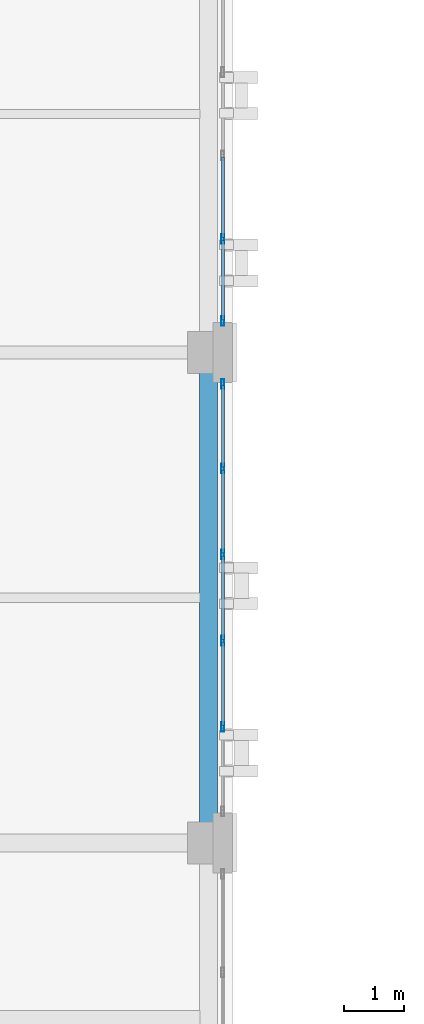
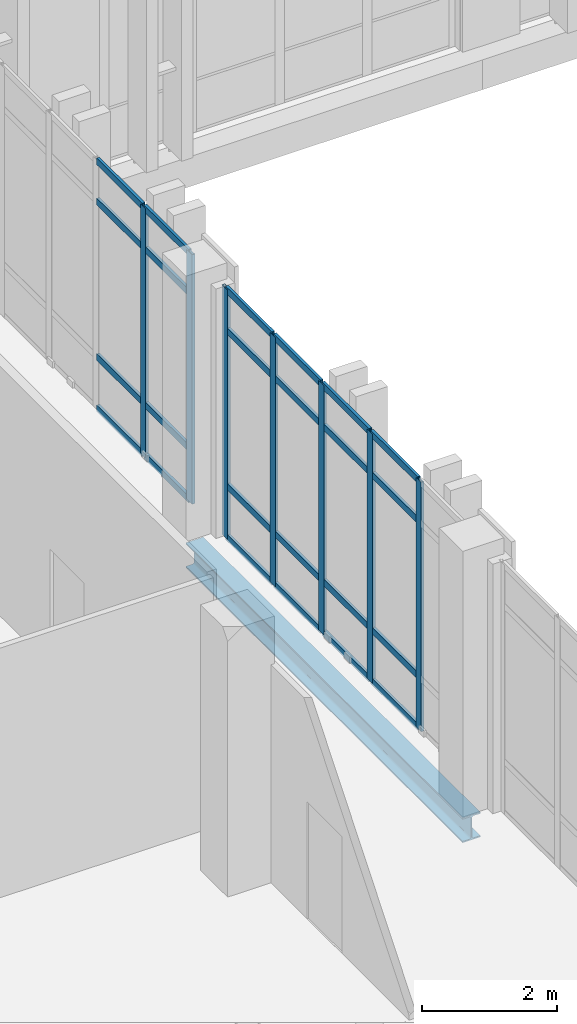
# One storey, part 80 of 189: 31 members, 1 beam, 2 elements without a shape of their own.
"""IFC4 building model written with IfcOpenShell, lengths in metres."""

import ifcopenshell
import ifcopenshell.guid

model = None  # the IFC model being written
_history = None  # IfcOwnerHistory: only IFC2X3 demands one
_inside = {}  # id of a spatial element -> (the spatial element, [elements in it])
_under = {}  # id of a project, library or spatial element -> (it, [spatial elements below it])
_declared = {}  # id of a project -> (the project, [libraries it declares])
_typed = {}  # id of a type object -> (the type object, [elements of that type])
_made_of = {}  # id of a material, layer set ... -> (it, [elements and type objects made of it])


def new_model(schema):
    """Start an empty IFC model of exactly this schema.

    Asked for "IFC4X3", IfcOpenShell would pick the latest addendum, in which some entities
    have other attributes; the version numbers below select the first issue.
    IFC2X3 requires an IfcOwnerHistory on every rooted entity: one is made here for all.
    """
    global model, _history
    if schema == "IFC4X3":
        model = ifcopenshell.file(schema_version=(4, 3, 0, 0))
    else:
        model = ifcopenshell.file(schema=schema)
    _inside.clear()
    _under.clear()
    _declared.clear()
    _typed.clear()
    _made_of.clear()
    _history = None
    if model.schema == "IFC2X3":
        org = make("IfcOrganization", Name="unknown")
        user = make(
            "IfcPersonAndOrganization",
            ThePerson=make("IfcPerson", FamilyName="unknown"),
            TheOrganization=org,
        )
        app = make(
            "IfcApplication",
            ApplicationDeveloper=org,
            Version="unknown",
            ApplicationFullName="unknown",
            ApplicationIdentifier="unknown",
        )
        _history = make(
            "IfcOwnerHistory",
            OwningUser=user,
            OwningApplication=app,
            ChangeAction="ADDED",
            CreationDate=0,
        )
    return model


def make(cls, **values):
    """One entity of the class cls with the attributes given. An attribute that is None is left unset."""
    return model.create_entity(
        cls, **{name: value for name, value in values.items() if value is not None}
    )


def rooted(cls, **values):
    """An entity with a GlobalId (a new one), such as an element, a storey or a relation."""
    return make(cls, GlobalId=ifcopenshell.guid.new(), OwnerHistory=_history, **values)


def si_unit(unit_type, name, prefix=None):
    """IfcSIUnit, for example si_unit("LENGTHUNIT", "METRE", prefix="MILLI")."""
    return make("IfcSIUnit", UnitType=unit_type, Prefix=prefix, Name=name)


def assignment(units):
    """IfcUnitAssignment: the units of a project."""
    return None if units is None else make("IfcUnitAssignment", Units=units)


def point(xyz):
    """IfcCartesianPoint."""
    return None if xyz is None else make("IfcCartesianPoint", Coordinates=xyz)


def direction(xyz):
    """IfcDirection."""
    return None if xyz is None else make("IfcDirection", DirectionRatios=xyz)


def frame(location, z_axis=None, x_axis=None):
    """IfcAxis2Placement3D, a coordinate frame: its origin and axes. An axis left out is left unset."""
    return make(
        "IfcAxis2Placement3D",
        Location=point(location),
        Axis=direction(z_axis),
        RefDirection=direction(x_axis),
    )


def frame_2d(location, x_axis=None):
    """IfcAxis2Placement2D, a coordinate frame in the plane: its origin and x axis."""
    return make(
        "IfcAxis2Placement2D", Location=point(location), RefDirection=direction(x_axis)
    )


def origin():
    """The frame at (0, 0, 0) with its axes left unset."""
    return frame((0.0, 0.0, 0.0))


def origin_2d():
    """The frame at (0, 0) in the plane with its x axis left unset."""
    return frame_2d((0.0, 0.0))


def place(relative_to, where):
    """IfcLocalPlacement: puts the frame where relative to a parent placement (None: the world)."""
    return make(
        "IfcLocalPlacement", PlacementRelTo=relative_to, RelativePlacement=where
    )


def context(
    kind, dimensions, precision=None, world=None, true_north=None, identifier=None
):
    """IfcGeometricRepresentationContext, for example the 3D "Model" context."""
    return make(
        "IfcGeometricRepresentationContext",
        ContextIdentifier=identifier,
        ContextType=kind,
        CoordinateSpaceDimension=dimensions,
        Precision=precision,
        WorldCoordinateSystem=world,
        TrueNorth=true_north,
    )


def subcontext(parent, identifier, kind, view, scale=None):
    """IfcGeometricRepresentationSubContext, for example "Body" below "Model"."""
    return make(
        "IfcGeometricRepresentationSubContext",
        ContextIdentifier=identifier,
        ContextType=kind,
        ParentContext=parent,
        TargetScale=scale,
        TargetView=view,
    )


def project(units=None, contexts=None):
    """IfcProject with its units and contexts."""
    return rooted(
        "IfcProject",
        Name="project",
        RepresentationContexts=contexts,
        UnitsInContext=assignment(units),
    )


def spatial(cls, under=None, at=None, **own):
    """A site, building, storey or space (cls), placed at a placement, below another one or the project."""
    s = rooted(cls, ObjectPlacement=at, **own)
    if under is not None:
        _under.setdefault(under.id(), (under, []))[1].append(s)
    return s


def profile(cls, at=None, kind="AREA", **sizes):
    """A parametric profile (cls). Its sizes go by their IFC names, for example OverallWidth=200.0."""
    return make(cls, ProfileType=kind, Position=at, **sizes)


def hollow_rectangle(**sizes):
    """IfcRectangleHollowProfileDef."""
    return profile("IfcRectangleHollowProfileDef", **sizes)


def i_section(**sizes):
    """IfcIShapeProfileDef."""
    return profile("IfcIShapeProfileDef", **sizes)


def extrude(swept, where, along, depth):
    """IfcExtrudedAreaSolid: the profile swept, set in the frame where, extruded along a direction by depth."""
    return make(
        "IfcExtrudedAreaSolid",
        SweptArea=swept,
        Position=where,
        ExtrudedDirection=direction(along),
        Depth=depth,
    )


def shape(context_of_items, identifier, shape_type, items):
    """IfcShapeRepresentation: the items that make up one representation, for example the "Body"."""
    return make(
        "IfcShapeRepresentation",
        ContextOfItems=context_of_items,
        RepresentationIdentifier=identifier,
        RepresentationType=shape_type,
        Items=items,
    )


def material(Name=None, Category=None):
    """IfcMaterial."""
    return make("IfcMaterial", Name=Name, Category=Category)


def layer(
    of_material, thickness, ventilated=None, Name=None, Category=None, Priority=None
):
    """IfcMaterialLayer: one layer of a wall or slab, of a material (None: an air gap)."""
    return make(
        "IfcMaterialLayer",
        Material=of_material,
        LayerThickness=thickness,
        IsVentilated=ventilated,
        Name=Name,
        Category=Category,
        Priority=Priority,
    )


def layer_set(layers, Name=None):
    """IfcMaterialLayerSet."""
    return make("IfcMaterialLayerSet", MaterialLayers=layers, LayerSetName=Name)


def material_profile(
    of_material, cross_section, Name=None, Category=None, Priority=None
):
    """IfcMaterialProfile: a cross section and its material."""
    return make(
        "IfcMaterialProfile",
        Name=Name,
        Material=of_material,
        Profile=cross_section,
        Priority=Priority,
        Category=Category,
    )


def profile_set(profiles, Name=None, composite=None):
    """IfcMaterialProfileSet."""
    return make(
        "IfcMaterialProfileSet",
        Name=Name,
        MaterialProfiles=profiles,
        CompositeProfile=composite,
    )


def made_of(thing, what):
    """Note that an element or type object is made of a material, layer set ...; save() writes the relation."""
    if what is not None:
        _made_of.setdefault(what.id(), (what, []))[1].append(thing)
    return thing


def type_object(cls, material=None, **own):
    """A type object (cls), such as IfcWallType, which elements share."""
    return made_of(rooted(cls, **own), material)


def element(
    cls,
    number,
    at=None,
    inside=None,
    cuts=None,
    type_object=None,
    material=None,
    context=None,
    identifier="Body",
    shape_type=None,
    held_by="IfcProductDefinitionShape",
    body=None,
    shapes=None,
    **own,
):
    """One element of the class cls, such as IfcWall. Its Tag is "e" and its number.

    at: its placement. inside: the storey or other place that contains it. cuts: it is an
    opening in that element (IfcRelVoidsElement). A single representation is given by context,
    identifier, shape_type and body (its items); several are given by shapes. held_by: the class
    of the entity that holds the representations. save() writes the other relations.
    """
    e = rooted(cls, Tag="e%d" % number, ObjectPlacement=at, **own)
    if body is not None:
        shapes = [shape(context, identifier, shape_type, body)]
    if shapes is not None:
        e.Representation = make(held_by, Representations=shapes)
    if inside is not None:
        _inside.setdefault(inside.id(), (inside, []))[1].append(e)
    if cuts is not None:
        rooted(
            "IfcRelVoidsElement", RelatingBuildingElement=cuts, RelatedOpeningElement=e
        )
    if type_object is not None:
        _typed.setdefault(type_object.id(), (type_object, []))[1].append(e)
    return made_of(e, material)


def aggregate(whole, parts):
    """IfcRelAggregates: a whole, such as a stair, and the parts it consists of."""
    return rooted("IfcRelAggregates", RelatingObject=whole, RelatedObjects=parts)


def save(model, path):
    """Write the relations noted so far, then the file.

    IfcRelAggregates (storeys below a building ...), IfcRelContainedInSpatialStructure (elements
    in a storey), IfcRelDefinesByType, IfcRelAssociatesMaterial and IfcRelDeclares: one each for
    every whole, place, type object, material and project.
    """
    for whole, parts in _under.values():
        aggregate(whole, parts)
    for where, things in _inside.values():
        rooted(
            "IfcRelContainedInSpatialStructure",
            RelatedElements=things,
            RelatingStructure=where,
        )
    for kind, things in _typed.values():
        rooted("IfcRelDefinesByType", RelatedObjects=things, RelatingType=kind)
    for what, things in _made_of.values():
        rooted("IfcRelAssociatesMaterial", RelatedObjects=things, RelatingMaterial=what)
    for by, libraries in _declared.values():
        rooted("IfcRelDeclares", RelatingContext=by, RelatedDefinitions=libraries)
    model.write(path)


model = new_model("IFC4")

# Units and contexts
model_context = context("Model", 3, precision=1e-05, world=origin(), true_north=direction((0.0, 1.0)))
body_context = subcontext(model_context, "Body", "Model", "MODEL_VIEW")
ifc_project = project(units=[si_unit("LENGTHUNIT", "METRE"), si_unit("AREAUNIT", "SQUARE_METRE"), si_unit("VOLUMEUNIT", "CUBIC_METRE"), si_unit("PLANEANGLEUNIT", "RADIAN"), si_unit("MASSUNIT", "GRAM", prefix="KILO")], contexts=[model_context])

# Site, building, storey
site_placement = place(None, origin())
site = spatial("IfcSite", under=ifc_project, at=site_placement, CompositionType="ELEMENT")
building_placement = place(site_placement, origin())
building = spatial("IfcBuilding", under=site, at=building_placement, Name="Qalavern Law Courts", CompositionType="ELEMENT")
storey_placement = place(building_placement, frame((0.0, 0.0, 5.39990234375)))
storey = spatial("IfcBuildingStorey", under=building, at=storey_placement, Name="L01", CompositionType="ELEMENT", Elevation=5.39990234375)

# Curtain wall, members
ifc_material_1 = material(Name="Anodised aluminium and insulated glazing", Category="aluminium")
ifc_layer = layer(ifc_material_1, 0.172119140625)
ifc_layer_set = layer_set([ifc_layer], Name="Anodised aluminium and insulated glazing")
curtain_wall_type = type_object("IfcCurtainWallType", Name="ENV-CW-COURT", PredefinedType="USERDEFINED", material=ifc_layer_set)
curtain_wall_1_placement = place(storey_placement, origin())
curtain_wall_1 = element("IfcCurtainWall", 1, at=curtain_wall_1_placement, inside=storey, type_object=curtain_wall_type, Name="V3 unitised curtain wall L01 east 6", ObjectType="UNITISED CURTAIN WALL", PredefinedType="USERDEFINED")
ifc_material_2 = material(Name="Anodised aluminium", Category="aluminium")
ifc_material_profile_1 = material_profile(ifc_material_2, hollow_rectangle(XDim=0.048095703125, YDim=0.159912109375, WallThickness=0.00390625, at=origin_2d()), Name="ALU MULLION 48x160")
ifc_profile_set_1 = profile_set([ifc_material_profile_1], Name="Anodised aluminium")
member_type_1 = type_object("IfcMemberType", Name="ENV-CWM-48x160", PredefinedType="MULLION", material=ifc_profile_set_1)
member_1_placement = place(storey_placement, frame((18.637451171875, 81.340087890625, 0.0), z_axis=(0.0, 0.0, 1.0), x_axis=(-1.0, 0.0, 0.0)))
member_1 = element("IfcMember", 2, at=member_1_placement, type_object=member_type_1, Name="CW-03 mullion 2", PredefinedType="MULLION", context=body_context, shape_type="SweptSolid", body=[
    extrude(hollow_rectangle(XDim=0.048095703125, YDim=0.159912109375, WallThickness=0.00390625, at=origin_2d()), origin(), (0.0, 0.0, 1.0), 4.510009765625),
])
member_2_placement = place(storey_placement, frame((18.637451171875, 82.780029296875, 0.0), z_axis=(0.0, 0.0, 1.0), x_axis=(-1.0, 0.0, 0.0)))
member_2 = element("IfcMember", 3, at=member_2_placement, type_object=member_type_1, Name="CW-03 mullion 3", PredefinedType="MULLION", context=body_context, shape_type="SweptSolid", body=[
    extrude(hollow_rectangle(XDim=0.048095703125, YDim=0.159912109375, WallThickness=0.00390625, at=origin_2d()), origin(), (0.0, 0.0, 1.0), 4.510009765625),
])
member_3_placement = place(storey_placement, frame((18.637451171875, 84.219970703125, 0.0), z_axis=(0.0, 0.0, 1.0), x_axis=(-1.0, 0.0, 0.0)))
member_3 = element("IfcMember", 4, at=member_3_placement, type_object=member_type_1, Name="CW-03 mullion 4", PredefinedType="MULLION", context=body_context, shape_type="SweptSolid", body=[
    extrude(hollow_rectangle(XDim=0.048095703125, YDim=0.159912109375, WallThickness=0.00390625, at=origin_2d()), origin(), (0.0, 0.0, 1.0), 4.510009765625),
])
member_4_placement = place(storey_placement, frame((18.637451171875, 85.659912109375, 0.0), z_axis=(0.0, 0.0, 1.0), x_axis=(-1.0, 0.0, 0.0)))
member_4 = element("IfcMember", 5, at=member_4_placement, type_object=member_type_1, Name="CW-03 mullion 5", PredefinedType="MULLION", context=body_context, shape_type="SweptSolid", body=[
    extrude(hollow_rectangle(XDim=0.048095703125, YDim=0.159912109375, WallThickness=0.00390625, at=origin_2d()), origin(), (0.0, 0.0, 1.0), 4.510009765625),
])
member_5_placement = place(storey_placement, frame((18.637451171875, 87.075927734375, 0.0), z_axis=(0.0, 0.0, 1.0), x_axis=(-1.0, 0.0, 0.0)))
member_5 = element("IfcMember", 6, at=member_5_placement, type_object=member_type_1, Name="CW-03 mullion 6", PredefinedType="MULLION", context=body_context, shape_type="SweptSolid", body=[
    extrude(hollow_rectangle(XDim=0.048095703125, YDim=0.159912109375, WallThickness=0.00390625, at=origin_2d()), origin(), (0.0, 0.0, 1.0), 4.510009765625),
])

curtain_wall_2_placement = place(storey_placement, origin())
curtain_wall_2 = element("IfcCurtainWall", 7, at=curtain_wall_2_placement, inside=storey, type_object=curtain_wall_type, Name="V3 unitised curtain wall L01 east 7", ObjectType="UNITISED CURTAIN WALL", PredefinedType="USERDEFINED")
member_6_placement = place(storey_placement, frame((18.637451171875, 88.1240234375, 0.0), z_axis=(0.0, 0.0, 1.0), x_axis=(-1.0, 0.0, 0.0)))
member_6 = element("IfcMember", 8, at=member_6_placement, type_object=member_type_1, Name="CW-03 mullion 1", PredefinedType="MULLION", context=body_context, shape_type="SweptSolid", body=[
    extrude(hollow_rectangle(XDim=0.048095703125, YDim=0.159912109375, WallThickness=0.00390625, at=origin_2d()), origin(), (0.0, 0.0, 1.0), 4.510009765625),
])
member_7_placement = place(storey_placement, frame((18.637451171875, 89.49609375, 0.0), z_axis=(0.0, 0.0, 1.0), x_axis=(-1.0, 0.0, 0.0)))
member_7 = element("IfcMember", 9, at=member_7_placement, type_object=member_type_1, Name="CW-03 mullion 2", PredefinedType="MULLION", context=body_context, shape_type="SweptSolid", body=[
    extrude(hollow_rectangle(XDim=0.048095703125, YDim=0.159912109375, WallThickness=0.00390625, at=origin_2d()), origin(), (0.0, 0.0, 1.0), 4.510009765625),
])

# Member
ifc_material_profile_2 = material_profile(ifc_material_2, hollow_rectangle(XDim=0.048095703125, YDim=0.1201171875, WallThickness=0.00390625, at=origin_2d()), Name="ALU TRANSOM 48x120")
ifc_profile_set_2 = profile_set([ifc_material_profile_2], Name="Anodised aluminium")
member_type_2 = type_object("IfcMemberType", Name="ENV-CWT-48x120", PredefinedType="USERDEFINED", material=ifc_profile_set_2)
member_8_placement = place(storey_placement, frame((18.637451171875, 81.364013671875, 0.024169921875), z_axis=(0.0, 1.0, 0.0), x_axis=(-1.0, 0.0, 0.0)))
member_8 = element("IfcMember", 10, at=member_8_placement, type_object=member_type_2, Name="CW-03 transom 2.1", ObjectType="TRANSOM", PredefinedType="USERDEFINED", context=body_context, shape_type="SweptSolid", body=[
    extrude(hollow_rectangle(XDim=0.048095703125, YDim=0.1201171875, WallThickness=0.00390625, at=origin_2d()), origin(), (0.0, 0.0, 1.0), 1.39208984375),
])

member_9_placement = place(storey_placement, frame((18.637451171875, 81.364013671875, 0.9501953125), z_axis=(0.0, 1.0, 0.0), x_axis=(-1.0, 0.0, 0.0)))
member_9 = element("IfcMember", 11, at=member_9_placement, type_object=member_type_2, Name="CW-03 transom 2.2", ObjectType="TRANSOM", PredefinedType="USERDEFINED", context=body_context, shape_type="SweptSolid", body=[
    extrude(hollow_rectangle(XDim=0.048095703125, YDim=0.1201171875, WallThickness=0.00390625, at=origin_2d()), origin(), (0.0, 0.0, 1.0), 1.39208984375),
])

member_10_placement = place(storey_placement, frame((18.637451171875, 81.364013671875, 3.760009765625), z_axis=(0.0, 1.0, 0.0), x_axis=(-1.0, 0.0, 0.0)))
member_10 = element("IfcMember", 12, at=member_10_placement, type_object=member_type_2, Name="CW-03 transom 2.3", ObjectType="TRANSOM", PredefinedType="USERDEFINED", context=body_context, shape_type="SweptSolid", body=[
    extrude(hollow_rectangle(XDim=0.048095703125, YDim=0.1201171875, WallThickness=0.00390625, at=origin_2d()), origin(), (0.0, 0.0, 1.0), 1.39208984375),
])

member_11_placement = place(storey_placement, frame((18.637451171875, 81.364013671875, 4.486083984375), z_axis=(0.0, 1.0, 0.0), x_axis=(-1.0, 0.0, 0.0)))
member_11 = element("IfcMember", 13, at=member_11_placement, type_object=member_type_2, Name="CW-03 transom 2.4", ObjectType="TRANSOM", PredefinedType="USERDEFINED", context=body_context, shape_type="SweptSolid", body=[
    extrude(hollow_rectangle(XDim=0.048095703125, YDim=0.1201171875, WallThickness=0.00390625, at=origin_2d()), origin(), (0.0, 0.0, 1.0), 1.39208984375),
])

member_12_placement = place(storey_placement, frame((18.637451171875, 82.803955078125, 0.024169921875), z_axis=(0.0, 1.0, 0.0), x_axis=(-1.0, 0.0, 0.0)))
member_12 = element("IfcMember", 14, at=member_12_placement, type_object=member_type_2, Name="CW-03 transom 3.1", ObjectType="TRANSOM", PredefinedType="USERDEFINED", context=body_context, shape_type="SweptSolid", body=[
    extrude(hollow_rectangle(XDim=0.048095703125, YDim=0.1201171875, WallThickness=0.00390625, at=origin_2d()), origin(), (0.0, 0.0, 1.0), 1.39208984375),
])

member_13_placement = place(storey_placement, frame((18.637451171875, 82.803955078125, 0.9501953125), z_axis=(0.0, 1.0, 0.0), x_axis=(-1.0, 0.0, 0.0)))
member_13 = element("IfcMember", 15, at=member_13_placement, type_object=member_type_2, Name="CW-03 transom 3.2", ObjectType="TRANSOM", PredefinedType="USERDEFINED", context=body_context, shape_type="SweptSolid", body=[
    extrude(hollow_rectangle(XDim=0.048095703125, YDim=0.1201171875, WallThickness=0.00390625, at=origin_2d()), origin(), (0.0, 0.0, 1.0), 1.39208984375),
])

member_14_placement = place(storey_placement, frame((18.637451171875, 82.803955078125, 3.760009765625), z_axis=(0.0, 1.0, 0.0), x_axis=(-1.0, 0.0, 0.0)))
member_14 = element("IfcMember", 16, at=member_14_placement, type_object=member_type_2, Name="CW-03 transom 3.3", ObjectType="TRANSOM", PredefinedType="USERDEFINED", context=body_context, shape_type="SweptSolid", body=[
    extrude(hollow_rectangle(XDim=0.048095703125, YDim=0.1201171875, WallThickness=0.00390625, at=origin_2d()), origin(), (0.0, 0.0, 1.0), 1.39208984375),
])

member_15_placement = place(storey_placement, frame((18.637451171875, 82.803955078125, 4.486083984375), z_axis=(0.0, 1.0, 0.0), x_axis=(-1.0, 0.0, 0.0)))
member_15 = element("IfcMember", 17, at=member_15_placement, type_object=member_type_2, Name="CW-03 transom 3.4", ObjectType="TRANSOM", PredefinedType="USERDEFINED", context=body_context, shape_type="SweptSolid", body=[
    extrude(hollow_rectangle(XDim=0.048095703125, YDim=0.1201171875, WallThickness=0.00390625, at=origin_2d()), origin(), (0.0, 0.0, 1.0), 1.39208984375),
])

member_16_placement = place(storey_placement, frame((18.637451171875, 84.243896484375, 0.024169921875), z_axis=(0.0, 1.0, 0.0), x_axis=(-1.0, 0.0, 0.0)))
member_16 = element("IfcMember", 18, at=member_16_placement, type_object=member_type_2, Name="CW-03 transom 4.1", ObjectType="TRANSOM", PredefinedType="USERDEFINED", context=body_context, shape_type="SweptSolid", body=[
    extrude(hollow_rectangle(XDim=0.048095703125, YDim=0.1201171875, WallThickness=0.00390625, at=origin_2d()), origin(), (0.0, 0.0, 1.0), 1.39208984375),
])

member_17_placement = place(storey_placement, frame((18.637451171875, 84.243896484375, 0.9501953125), z_axis=(0.0, 1.0, 0.0), x_axis=(-1.0, 0.0, 0.0)))
member_17 = element("IfcMember", 19, at=member_17_placement, type_object=member_type_2, Name="CW-03 transom 4.2", ObjectType="TRANSOM", PredefinedType="USERDEFINED", context=body_context, shape_type="SweptSolid", body=[
    extrude(hollow_rectangle(XDim=0.048095703125, YDim=0.1201171875, WallThickness=0.00390625, at=origin_2d()), origin(), (0.0, 0.0, 1.0), 1.39208984375),
])

member_18_placement = place(storey_placement, frame((18.637451171875, 84.243896484375, 3.760009765625), z_axis=(0.0, 1.0, 0.0), x_axis=(-1.0, 0.0, 0.0)))
member_18 = element("IfcMember", 20, at=member_18_placement, type_object=member_type_2, Name="CW-03 transom 4.3", ObjectType="TRANSOM", PredefinedType="USERDEFINED", context=body_context, shape_type="SweptSolid", body=[
    extrude(hollow_rectangle(XDim=0.048095703125, YDim=0.1201171875, WallThickness=0.00390625, at=origin_2d()), origin(), (0.0, 0.0, 1.0), 1.39208984375),
])

member_19_placement = place(storey_placement, frame((18.637451171875, 84.243896484375, 4.486083984375), z_axis=(0.0, 1.0, 0.0), x_axis=(-1.0, 0.0, 0.0)))
member_19 = element("IfcMember", 21, at=member_19_placement, type_object=member_type_2, Name="CW-03 transom 4.4", ObjectType="TRANSOM", PredefinedType="USERDEFINED", context=body_context, shape_type="SweptSolid", body=[
    extrude(hollow_rectangle(XDim=0.048095703125, YDim=0.1201171875, WallThickness=0.00390625, at=origin_2d()), origin(), (0.0, 0.0, 1.0), 1.39208984375),
])

member_20_placement = place(storey_placement, frame((18.637451171875, 85.68408203125, 0.024169921875), z_axis=(0.0, 1.0, 0.0), x_axis=(-1.0, 0.0, 0.0)))
member_20 = element("IfcMember", 22, at=member_20_placement, type_object=member_type_2, Name="CW-03 transom 5.1", ObjectType="TRANSOM", PredefinedType="USERDEFINED", context=body_context, shape_type="SweptSolid", body=[
    extrude(hollow_rectangle(XDim=0.048095703125, YDim=0.1201171875, WallThickness=0.00390625, at=origin_2d()), origin(), (0.0, 0.0, 1.0), 1.367919921875),
])

member_21_placement = place(storey_placement, frame((18.637451171875, 85.68408203125, 0.9501953125), z_axis=(0.0, 1.0, 0.0), x_axis=(-1.0, 0.0, 0.0)))
member_21 = element("IfcMember", 23, at=member_21_placement, type_object=member_type_2, Name="CW-03 transom 5.2", ObjectType="TRANSOM", PredefinedType="USERDEFINED", context=body_context, shape_type="SweptSolid", body=[
    extrude(hollow_rectangle(XDim=0.048095703125, YDim=0.1201171875, WallThickness=0.00390625, at=origin_2d()), origin(), (0.0, 0.0, 1.0), 1.367919921875),
])

member_22_placement = place(storey_placement, frame((18.637451171875, 85.68408203125, 3.760009765625), z_axis=(0.0, 1.0, 0.0), x_axis=(-1.0, 0.0, 0.0)))
member_22 = element("IfcMember", 24, at=member_22_placement, type_object=member_type_2, Name="CW-03 transom 5.3", ObjectType="TRANSOM", PredefinedType="USERDEFINED", context=body_context, shape_type="SweptSolid", body=[
    extrude(hollow_rectangle(XDim=0.048095703125, YDim=0.1201171875, WallThickness=0.00390625, at=origin_2d()), origin(), (0.0, 0.0, 1.0), 1.367919921875),
])

member_23_placement = place(storey_placement, frame((18.637451171875, 85.68408203125, 4.486083984375), z_axis=(0.0, 1.0, 0.0), x_axis=(-1.0, 0.0, 0.0)))
member_23 = element("IfcMember", 25, at=member_23_placement, type_object=member_type_2, Name="CW-03 transom 5.4", ObjectType="TRANSOM", PredefinedType="USERDEFINED", context=body_context, shape_type="SweptSolid", body=[
    extrude(hollow_rectangle(XDim=0.048095703125, YDim=0.1201171875, WallThickness=0.00390625, at=origin_2d()), origin(), (0.0, 0.0, 1.0), 1.367919921875),
])

aggregate(curtain_wall_1, [member_1, member_2, member_3, member_4, member_5, member_8, member_9, member_10, member_11, member_12, member_13, member_14, member_15, member_16, member_17, member_18, member_19, member_20, member_21, member_22, member_23])

member_24_placement = place(storey_placement, frame((18.637451171875, 88.14794921875, 0.024169921875), z_axis=(0.0, 1.0, 0.0), x_axis=(-1.0, 0.0, 0.0)))
member_24 = element("IfcMember", 26, at=member_24_placement, type_object=member_type_2, Name="CW-03 transom 1.1", ObjectType="TRANSOM", PredefinedType="USERDEFINED", context=body_context, shape_type="SweptSolid", body=[
    extrude(hollow_rectangle(XDim=0.048095703125, YDim=0.1201171875, WallThickness=0.00390625, at=origin_2d()), origin(), (0.0, 0.0, 1.0), 1.323974609375),
])

member_25_placement = place(storey_placement, frame((18.637451171875, 88.14794921875, 0.9501953125), z_axis=(0.0, 1.0, 0.0), x_axis=(-1.0, 0.0, 0.0)))
member_25 = element("IfcMember", 27, at=member_25_placement, type_object=member_type_2, Name="CW-03 transom 1.2", ObjectType="TRANSOM", PredefinedType="USERDEFINED", context=body_context, shape_type="SweptSolid", body=[
    extrude(hollow_rectangle(XDim=0.048095703125, YDim=0.1201171875, WallThickness=0.00390625, at=origin_2d()), origin(), (0.0, 0.0, 1.0), 1.323974609375),
])

member_26_placement = place(storey_placement, frame((18.637451171875, 88.14794921875, 3.760009765625), z_axis=(0.0, 1.0, 0.0), x_axis=(-1.0, 0.0, 0.0)))
member_26 = element("IfcMember", 28, at=member_26_placement, type_object=member_type_2, Name="CW-03 transom 1.3", ObjectType="TRANSOM", PredefinedType="USERDEFINED", context=body_context, shape_type="SweptSolid", body=[
    extrude(hollow_rectangle(XDim=0.048095703125, YDim=0.1201171875, WallThickness=0.00390625, at=origin_2d()), origin(), (0.0, 0.0, 1.0), 1.323974609375),
])

member_27_placement = place(storey_placement, frame((18.637451171875, 88.14794921875, 4.486083984375), z_axis=(0.0, 1.0, 0.0), x_axis=(-1.0, 0.0, 0.0)))
member_27 = element("IfcMember", 29, at=member_27_placement, type_object=member_type_2, Name="CW-03 transom 1.4", ObjectType="TRANSOM", PredefinedType="USERDEFINED", context=body_context, shape_type="SweptSolid", body=[
    extrude(hollow_rectangle(XDim=0.048095703125, YDim=0.1201171875, WallThickness=0.00390625, at=origin_2d()), origin(), (0.0, 0.0, 1.0), 1.323974609375),
])

member_28_placement = place(storey_placement, frame((18.637451171875, 89.52001953125, 0.024169921875), z_axis=(0.0, 1.0, 0.0), x_axis=(-1.0, 0.0, 0.0)))
member_28 = element("IfcMember", 30, at=member_28_placement, type_object=member_type_2, Name="CW-03 transom 2.1", ObjectType="TRANSOM", PredefinedType="USERDEFINED", context=body_context, shape_type="SweptSolid", body=[
    extrude(hollow_rectangle(XDim=0.048095703125, YDim=0.1201171875, WallThickness=0.00390625, at=origin_2d()), origin(), (0.0, 0.0, 1.0), 1.347900390625),
])

member_29_placement = place(storey_placement, frame((18.637451171875, 89.52001953125, 0.9501953125), z_axis=(0.0, 1.0, 0.0), x_axis=(-1.0, 0.0, 0.0)))
member_29 = element("IfcMember", 31, at=member_29_placement, type_object=member_type_2, Name="CW-03 transom 2.2", ObjectType="TRANSOM", PredefinedType="USERDEFINED", context=body_context, shape_type="SweptSolid", body=[
    extrude(hollow_rectangle(XDim=0.048095703125, YDim=0.1201171875, WallThickness=0.00390625, at=origin_2d()), origin(), (0.0, 0.0, 1.0), 1.347900390625),
])

member_30_placement = place(storey_placement, frame((18.637451171875, 89.52001953125, 3.760009765625), z_axis=(0.0, 1.0, 0.0), x_axis=(-1.0, 0.0, 0.0)))
member_30 = element("IfcMember", 32, at=member_30_placement, type_object=member_type_2, Name="CW-03 transom 2.3", ObjectType="TRANSOM", PredefinedType="USERDEFINED", context=body_context, shape_type="SweptSolid", body=[
    extrude(hollow_rectangle(XDim=0.048095703125, YDim=0.1201171875, WallThickness=0.00390625, at=origin_2d()), origin(), (0.0, 0.0, 1.0), 1.347900390625),
])

member_31_placement = place(storey_placement, frame((18.637451171875, 89.52001953125, 4.486083984375), z_axis=(0.0, 1.0, 0.0), x_axis=(-1.0, 0.0, 0.0)))
member_31 = element("IfcMember", 33, at=member_31_placement, type_object=member_type_2, Name="CW-03 transom 2.4", ObjectType="TRANSOM", PredefinedType="USERDEFINED", context=body_context, shape_type="SweptSolid", body=[
    extrude(hollow_rectangle(XDim=0.048095703125, YDim=0.1201171875, WallThickness=0.00390625, at=origin_2d()), origin(), (0.0, 0.0, 1.0), 1.347900390625),
])

aggregate(curtain_wall_2, [member_6, member_7, member_24, member_25, member_26, member_27, member_28, member_29, member_30, member_31])

# Beam
ifc_material_3 = material(Name="Steel S355", Category="steel")
ifc_material_profile_3 = material_profile(ifc_material_3, i_section(OverallWidth=0.300048828125, OverallDepth=0.449951171875, WebThickness=0.013916015625, FlangeThickness=0.02587890625, FilletRadius=0.027099609375, at=origin_2d()), Name="HEB 450")
ifc_profile_set_3 = profile_set([ifc_material_profile_3], Name="Steel S355")
beam_type = type_object("IfcBeamType", Name="STR-SP-HEB450", PredefinedType="SPANDREL", material=ifc_profile_set_3)
beam_placement = place(storey_placement, frame((18.39990234375, 79.39990234375, -0.52490234375), z_axis=(0.0, 1.0, 0.0), x_axis=(-1.0, 0.0, 0.0)))
element("IfcBeam", 34, at=beam_placement, inside=storey, type_object=beam_type, Name="V3 Y-beam 3-6 L01", PredefinedType="SPANDREL", context=body_context, shape_type="SweptSolid", body=[
    extrude(i_section(OverallWidth=0.300048828125, OverallDepth=0.449951171875, WebThickness=0.013916015625, FlangeThickness=0.02587890625, FilletRadius=0.027099609375, at=origin_2d()), origin(), (0.0, 0.0, 1.0), 8.2001953125),
])

save(model, "model.ifc")
